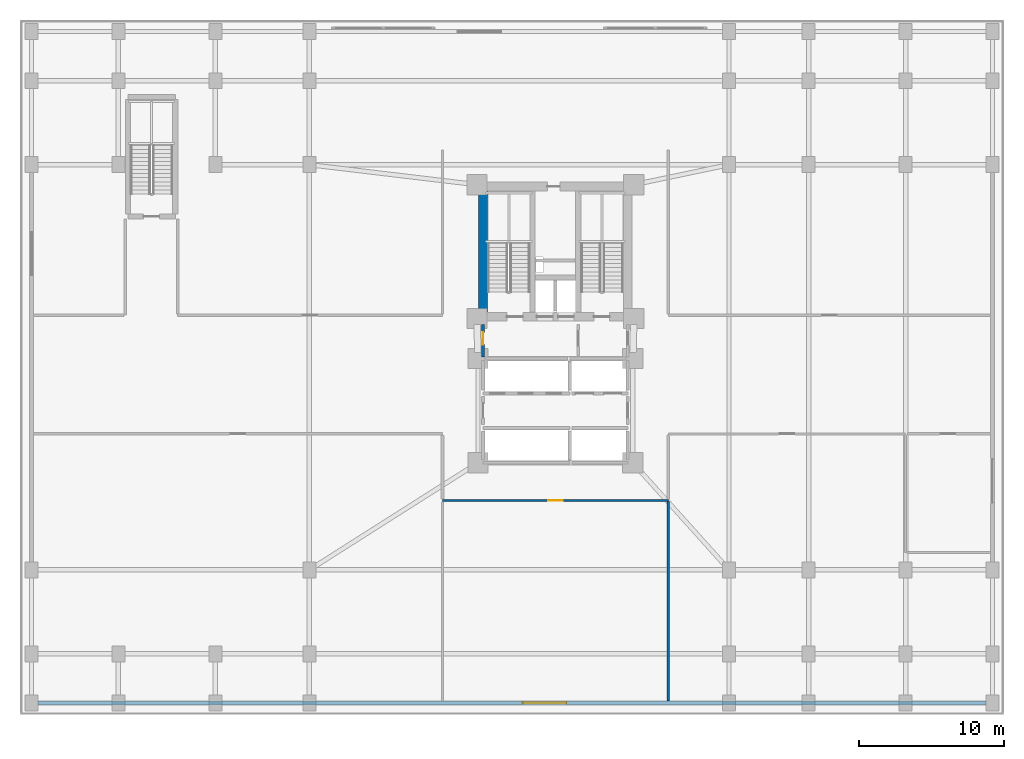
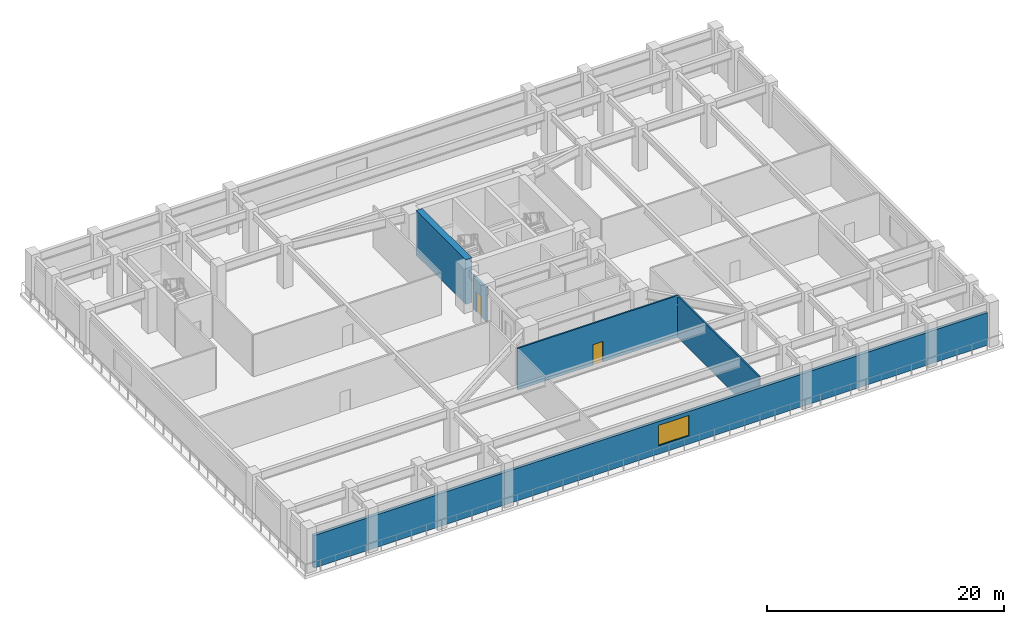
# One storey, part 7 of 12: 5 walls, 2 doors, 1 window, 3 openings.
"""IFC4 building model written with IfcOpenShell, lengths in metres."""

import ifcopenshell
import ifcopenshell.guid

model = None  # the IFC model being written
_history = None  # IfcOwnerHistory: only IFC2X3 demands one
_inside = {}  # id of a spatial element -> (the spatial element, [elements in it])
_under = {}  # id of a project, library or spatial element -> (it, [spatial elements below it])
_declared = {}  # id of a project -> (the project, [libraries it declares])
_typed = {}  # id of a type object -> (the type object, [elements of that type])
_made_of = {}  # id of a material, layer set ... -> (it, [elements and type objects made of it])


def new_model(schema):
    """Start an empty IFC model of exactly this schema.

    Asked for "IFC4X3", IfcOpenShell would pick the latest addendum, in which some entities
    have other attributes; the version numbers below select the first issue.
    IFC2X3 requires an IfcOwnerHistory on every rooted entity: one is made here for all.
    """
    global model, _history
    if schema == "IFC4X3":
        model = ifcopenshell.file(schema_version=(4, 3, 0, 0))
    else:
        model = ifcopenshell.file(schema=schema)
    _inside.clear()
    _under.clear()
    _declared.clear()
    _typed.clear()
    _made_of.clear()
    _history = None
    if model.schema == "IFC2X3":
        org = make("IfcOrganization", Name="unknown")
        user = make(
            "IfcPersonAndOrganization",
            ThePerson=make("IfcPerson", FamilyName="unknown"),
            TheOrganization=org,
        )
        app = make(
            "IfcApplication",
            ApplicationDeveloper=org,
            Version="unknown",
            ApplicationFullName="unknown",
            ApplicationIdentifier="unknown",
        )
        _history = make(
            "IfcOwnerHistory",
            OwningUser=user,
            OwningApplication=app,
            ChangeAction="ADDED",
            CreationDate=0,
        )
    return model


def make(cls, **values):
    """One entity of the class cls with the attributes given. An attribute that is None is left unset."""
    return model.create_entity(
        cls, **{name: value for name, value in values.items() if value is not None}
    )


def rooted(cls, **values):
    """An entity with a GlobalId (a new one), such as an element, a storey or a relation."""
    return make(cls, GlobalId=ifcopenshell.guid.new(), OwnerHistory=_history, **values)


def si_unit(unit_type, name, prefix=None):
    """IfcSIUnit, for example si_unit("LENGTHUNIT", "METRE", prefix="MILLI")."""
    return make("IfcSIUnit", UnitType=unit_type, Prefix=prefix, Name=name)


def assignment(units):
    """IfcUnitAssignment: the units of a project."""
    return None if units is None else make("IfcUnitAssignment", Units=units)


def point(xyz):
    """IfcCartesianPoint."""
    return None if xyz is None else make("IfcCartesianPoint", Coordinates=xyz)


def direction(xyz):
    """IfcDirection."""
    return None if xyz is None else make("IfcDirection", DirectionRatios=xyz)


def frame(location, z_axis=None, x_axis=None):
    """IfcAxis2Placement3D, a coordinate frame: its origin and axes. An axis left out is left unset."""
    return make(
        "IfcAxis2Placement3D",
        Location=point(location),
        Axis=direction(z_axis),
        RefDirection=direction(x_axis),
    )


def frame_2d(location, x_axis=None):
    """IfcAxis2Placement2D, a coordinate frame in the plane: its origin and x axis."""
    return make(
        "IfcAxis2Placement2D", Location=point(location), RefDirection=direction(x_axis)
    )


def origin():
    """The frame at (0, 0, 0) with its axes left unset."""
    return frame((0.0, 0.0, 0.0))


def place(relative_to, where):
    """IfcLocalPlacement: puts the frame where relative to a parent placement (None: the world)."""
    return make(
        "IfcLocalPlacement", PlacementRelTo=relative_to, RelativePlacement=where
    )


def context(
    kind, dimensions, precision=None, world=None, true_north=None, identifier=None
):
    """IfcGeometricRepresentationContext, for example the 3D "Model" context."""
    return make(
        "IfcGeometricRepresentationContext",
        ContextIdentifier=identifier,
        ContextType=kind,
        CoordinateSpaceDimension=dimensions,
        Precision=precision,
        WorldCoordinateSystem=world,
        TrueNorth=true_north,
    )


def subcontext(parent, identifier, kind, view, scale=None):
    """IfcGeometricRepresentationSubContext, for example "Body" below "Model"."""
    return make(
        "IfcGeometricRepresentationSubContext",
        ContextIdentifier=identifier,
        ContextType=kind,
        ParentContext=parent,
        TargetScale=scale,
        TargetView=view,
    )


def project(units=None, contexts=None):
    """IfcProject with its units and contexts."""
    return rooted(
        "IfcProject",
        Name="project",
        RepresentationContexts=contexts,
        UnitsInContext=assignment(units),
    )


def spatial(cls, under=None, at=None, **own):
    """A site, building, storey or space (cls), placed at a placement, below another one or the project."""
    s = rooted(cls, ObjectPlacement=at, **own)
    if under is not None:
        _under.setdefault(under.id(), (under, []))[1].append(s)
    return s


def profile(cls, at=None, kind="AREA", **sizes):
    """A parametric profile (cls). Its sizes go by their IFC names, for example OverallWidth=200.0."""
    return make(cls, ProfileType=kind, Position=at, **sizes)


def rectangle(**sizes):
    """IfcRectangleProfileDef."""
    return profile("IfcRectangleProfileDef", **sizes)


def extrude(swept, where, along, depth):
    """IfcExtrudedAreaSolid: the profile swept, set in the frame where, extruded along a direction by depth."""
    return make(
        "IfcExtrudedAreaSolid",
        SweptArea=swept,
        Position=where,
        ExtrudedDirection=direction(along),
        Depth=depth,
    )


def shape(context_of_items, identifier, shape_type, items):
    """IfcShapeRepresentation: the items that make up one representation, for example the "Body"."""
    return make(
        "IfcShapeRepresentation",
        ContextOfItems=context_of_items,
        RepresentationIdentifier=identifier,
        RepresentationType=shape_type,
        Items=items,
    )


def material(Name=None, Category=None):
    """IfcMaterial."""
    return make("IfcMaterial", Name=Name, Category=Category)


def layer(
    of_material, thickness, ventilated=None, Name=None, Category=None, Priority=None
):
    """IfcMaterialLayer: one layer of a wall or slab, of a material (None: an air gap)."""
    return make(
        "IfcMaterialLayer",
        Material=of_material,
        LayerThickness=thickness,
        IsVentilated=ventilated,
        Name=Name,
        Category=Category,
        Priority=Priority,
    )


def layer_set(layers, Name=None):
    """IfcMaterialLayerSet."""
    return make("IfcMaterialLayerSet", MaterialLayers=layers, LayerSetName=Name)


def made_of(thing, what):
    """Note that an element or type object is made of a material, layer set ...; save() writes the relation."""
    if what is not None:
        _made_of.setdefault(what.id(), (what, []))[1].append(thing)
    return thing


def type_object(cls, material=None, **own):
    """A type object (cls), such as IfcWallType, which elements share."""
    return made_of(rooted(cls, **own), material)


def element(
    cls,
    number,
    at=None,
    inside=None,
    cuts=None,
    type_object=None,
    material=None,
    context=None,
    identifier="Body",
    shape_type=None,
    held_by="IfcProductDefinitionShape",
    body=None,
    shapes=None,
    **own,
):
    """One element of the class cls, such as IfcWall. Its Tag is "e" and its number.

    at: its placement. inside: the storey or other place that contains it. cuts: it is an
    opening in that element (IfcRelVoidsElement). A single representation is given by context,
    identifier, shape_type and body (its items); several are given by shapes. held_by: the class
    of the entity that holds the representations. save() writes the other relations.
    """
    e = rooted(cls, Tag="e%d" % number, ObjectPlacement=at, **own)
    if body is not None:
        shapes = [shape(context, identifier, shape_type, body)]
    if shapes is not None:
        e.Representation = make(held_by, Representations=shapes)
    if inside is not None:
        _inside.setdefault(inside.id(), (inside, []))[1].append(e)
    if cuts is not None:
        rooted(
            "IfcRelVoidsElement", RelatingBuildingElement=cuts, RelatedOpeningElement=e
        )
    if type_object is not None:
        _typed.setdefault(type_object.id(), (type_object, []))[1].append(e)
    return made_of(e, material)


def fill(opening, filler):
    """IfcRelFillsElement: the door or window that sits in an opening."""
    return rooted(
        "IfcRelFillsElement",
        RelatingOpeningElement=opening,
        RelatedBuildingElement=filler,
    )


def aggregate(whole, parts):
    """IfcRelAggregates: a whole, such as a stair, and the parts it consists of."""
    return rooted("IfcRelAggregates", RelatingObject=whole, RelatedObjects=parts)


def save(model, path):
    """Write the relations noted so far, then the file.

    IfcRelAggregates (storeys below a building ...), IfcRelContainedInSpatialStructure (elements
    in a storey), IfcRelDefinesByType, IfcRelAssociatesMaterial and IfcRelDeclares: one each for
    every whole, place, type object, material and project.
    """
    for whole, parts in _under.values():
        aggregate(whole, parts)
    for where, things in _inside.values():
        rooted(
            "IfcRelContainedInSpatialStructure",
            RelatedElements=things,
            RelatingStructure=where,
        )
    for kind, things in _typed.values():
        rooted("IfcRelDefinesByType", RelatedObjects=things, RelatingType=kind)
    for what, things in _made_of.values():
        rooted("IfcRelAssociatesMaterial", RelatedObjects=things, RelatingMaterial=what)
    for by, libraries in _declared.values():
        rooted("IfcRelDeclares", RelatingContext=by, RelatedDefinitions=libraries)
    model.write(path)


model = new_model("IFC4")

# Units and contexts
model_context = context("Model", 3, precision=1e-05, world=origin(), true_north=direction((0.0, 1.0)))
body_context = subcontext(model_context, "Body", "Model", "MODEL_VIEW")
ifc_project = project(units=[si_unit("LENGTHUNIT", "METRE"), si_unit("AREAUNIT", "SQUARE_METRE"), si_unit("VOLUMEUNIT", "CUBIC_METRE"), si_unit("PLANEANGLEUNIT", "RADIAN"), si_unit("MASSUNIT", "GRAM", prefix="KILO")], contexts=[model_context])

# Site, building, storey
site_placement = place(None, origin())
site = spatial("IfcSite", under=ifc_project, at=site_placement, CompositionType="ELEMENT")
building_placement = place(site_placement, origin())
building = spatial("IfcBuilding", under=site, at=building_placement, Name="Varnakorn Sky Granary", CompositionType="ELEMENT")
storey_placement = place(building_placement, frame((0.0, 0.0, 4.60009765625)))
storey = spatial("IfcBuildingStorey", under=building, at=storey_placement, Name="L01", CompositionType="ELEMENT", Elevation=4.60009765625)

# Wall
ifc_material_1 = material(Name="Concrete C60/75", Category="concrete")
ifc_layer_1 = layer(ifc_material_1, 0.60009765625, Name="Concrete C60/75")
ifc_layer_set_1 = layer_set([ifc_layer_1], Name="Concrete C60/75")
wall_type_1 = type_object("IfcWallType", Name="WT-CW-SHEAR-600", PredefinedType="SHEAR", material=ifc_layer_set_1)
wall_1_placement = place(storey_placement, frame((-2.0, 3.81005859375, 0.0), z_axis=(0.0, 0.0, 1.0), x_axis=(0.0, 1.0, 0.0)))
element("IfcWall", 1, at=wall_1_placement, inside=storey, type_object=wall_type_1, Name="Core West Shear Wall L01", PredefinedType="SHEAR", context=body_context, shape_type="SweptSolid", body=[
    extrude(rectangle(XDim=8.3798828125, YDim=0.60009765625, at=frame_2d((4.18994140625, 0.0))), origin(), (0.0, 0.0, 1.0), 4.591796875),
])

# Wall, opening, window
ifc_material_2 = material(Name="Precast concrete C40/50", Category="concrete")
ifc_layer_2 = layer(ifc_material_2, 0.300048828125, Name="Precast concrete C40/50")
ifc_layer_set_2 = layer_set([ifc_layer_2], Name="Precast concrete C40/50")
wall_type_2 = type_object("IfcWallType", Name="WT-EW-POD-300", PredefinedType="SOLIDWALL", material=ifc_layer_set_2)
wall_2_placement = place(storey_placement, frame((32.7548828125, -23.199951171875, 0.0), z_axis=(0.0, 0.0, 1.0), x_axis=(-1.0, 0.0, 0.0)))
wall_2 = element("IfcWall", 2, at=wall_2_placement, inside=storey, type_object=wall_type_2, Name="Podium Exterior Facade Wall L01-S", PredefinedType="SOLIDWALL", context=body_context, shape_type="SweptSolid", body=[
    extrude(rectangle(XDim=65.509765625, YDim=0.300048828125, at=frame_2d((32.7548828125, 0.0))), origin(), (0.0, 0.0, 1.0), 3.349853515625),
])
opening_1_placement = place(wall_2_placement, frame((29.0, 0.0, 0.85009765625)))
opening_1 = element("IfcOpeningElement", 3, at=opening_1_placement, cuts=wall_2, Name="Opening WN-03", PredefinedType="OPENING", context=body_context, shape_type="SweptSolid", body=[
    extrude(rectangle(XDim=3.0, YDim=2.10009765625, at=frame_2d((1.5, 1.050048828125))), frame((0.0, 0.16015625, 0.0), z_axis=(0.0, -1.0, 0.0), x_axis=(1.0, 0.0, 0.0)), (0.0, 0.0, 1.0), 0.320068359375),
])
ifc_material_3 = material(Name="Low-E Tinted Laminated Glass", Category="glass")
window_type = type_object("IfcWindowType", Name="WN-MKT-3000", PartitioningType="SINGLE_PANEL", PredefinedType="WINDOW", material=ifc_material_3)
window_placement = place(opening_1_placement, origin())
window = element("IfcWindow", 4, at=window_placement, inside=storey, type_object=window_type, Name="Podium Facade Window L01-S", OverallHeight=2.10009765625, OverallWidth=3.0, PartitioningType="SINGLE_PANEL", PredefinedType="WINDOW", context=body_context, shape_type="SweptSolid", body=[
    extrude(rectangle(XDim=3.0, YDim=2.10009765625, at=frame_2d((1.5, 1.050048828125))), frame((0.0, 0.030029296875, 0.0), z_axis=(0.0, -1.0, 0.0), x_axis=(1.0, 0.0, 0.0)), (0.0, 0.0, 1.0), 0.06005859375),
])
fill(opening_1, window)

# Wall, opening, door
ifc_material_4 = material(Name="Autoclaved Aerated Concrete Blockwork", Category="masonry")
ifc_layer_3 = layer(ifc_material_4, 0.199951171875, Name="Autoclaved Aerated Concrete Blockwork")
ifc_layer_set_3 = layer_set([ifc_layer_3], Name="Autoclaved Aerated Concrete Blockwork")
wall_type_3 = type_object("IfcWallType", Name="WT-FIRE-200", PredefinedType="MOVABLE", material=ifc_layer_set_3)
wall_3_placement = place(storey_placement, frame((-2.0, 0.719970703125, 0.0), z_axis=(0.0, 0.0, 1.0), x_axis=(0.0, 1.0, 0.0)))
wall_3 = element("IfcWall", 5, at=wall_3_placement, inside=storey, type_object=wall_type_3, Name="Interior Partition Wall L01-017", PredefinedType="MOVABLE", context=body_context, shape_type="SweptSolid", body=[
    extrude(rectangle(XDim=2.25, YDim=0.199951171875, at=frame_2d((1.125, 0.0))), origin(), (0.0, 0.0, 1.0), 3.511962890625),
])
opening_2_placement = place(wall_3_placement, frame((0.844970703125, 0.0, 0.0)))
opening_2 = element("IfcOpeningElement", 6, at=opening_2_placement, cuts=wall_3, Name="Opening FD-60N", PredefinedType="OPENING", context=body_context, shape_type="SweptSolid", body=[
    extrude(rectangle(XDim=0.85009765625, YDim=2.10009765625, at=frame_2d((0.425048828125, 1.050048828125))), frame((0.0, 0.10986328125, 0.0), z_axis=(0.0, -1.0, 0.0), x_axis=(1.0, 0.0, 0.0)), (0.0, 0.0, 1.0), 0.219970703125),
])
ifc_material_5 = material(Name="Acoustic Timber Fire Leaf", Category="wood")
door_type_1 = type_object("IfcDoorType", Name="DR-FD60-850", OperationType="NOTDEFINED", PredefinedType="DOOR", material=ifc_material_5)
door_1_placement = place(opening_2_placement, origin())
door_1 = element("IfcDoor", 7, at=door_1_placement, inside=storey, type_object=door_type_1, Name="Interior Door L01-017-1", OperationType="SINGLE_SWING_LEFT", OverallHeight=2.10009765625, OverallWidth=0.85009765625, PredefinedType="DOOR", context=body_context, shape_type="SweptSolid", body=[
    extrude(rectangle(XDim=0.85009765625, YDim=2.10009765625, at=frame_2d((0.425048828125, 1.050048828125))), frame((0.0, 0.02490234375, 0.0), z_axis=(0.0, -1.0, 0.0), x_axis=(1.0, 0.0, 0.0)), (0.0, 0.0, 1.0), 0.050048828125),
])
fill(opening_2, door_1)

ifc_material_6 = material(Name="Gypsum Plasterboard on Steel Stud", Category="steel")
ifc_layer_4 = layer(ifc_material_6, 0.14990234375, Name="Gypsum Plasterboard on Steel Stud")
ifc_layer_set_4 = layer_set([ifc_layer_4], Name="Gypsum Plasterboard on Steel Stud")
wall_type_4 = type_object("IfcWallType", Name="WT-PART-150", PredefinedType="PARTITIONING", material=ifc_layer_set_4)
wall_4_placement = place(storey_placement, frame((-4.800048828125, -9.199951171875, 0.0), z_axis=(0.0, 0.0, 1.0), x_axis=(1.0, 0.0, 0.0)))
wall_4 = element("IfcWall", 8, at=wall_4_placement, inside=storey, type_object=wall_type_4, Name="Interior Partition Wall L01-026", PredefinedType="PARTITIONING", context=body_context, shape_type="SweptSolid", body=[
    extrude(rectangle(XDim=15.60009765625, YDim=0.14990234375, at=frame_2d((7.800048828125, 0.0))), origin(), (0.0, 0.0, 1.0), 4.27978515625),
])
opening_3_placement = place(wall_4_placement, frame((7.300048828125, 0.0, 0.0)))
opening_3 = element("IfcOpeningElement", 9, at=opening_3_placement, cuts=wall_4, Name="Opening ID-100", PredefinedType="OPENING", context=body_context, shape_type="SweptSolid", body=[
    extrude(rectangle(XDim=1.0, YDim=2.10009765625, at=frame_2d((0.5, 1.050048828125))), frame((0.0, 0.0849609375, 0.0), z_axis=(0.0, -1.0, 0.0), x_axis=(1.0, 0.0, 0.0)), (0.0, 0.0, 1.0), 0.169921875),
])
ifc_material_7 = material(Name="Solid-Core Teak Veneer Leaf", Category="timber")
door_type_2 = type_object("IfcDoorType", Name="DR-INT-1000", OperationType="NOTDEFINED", PredefinedType="DOOR", material=ifc_material_7)
door_2_placement = place(opening_3_placement, origin())
door_2 = element("IfcDoor", 10, at=door_2_placement, inside=storey, type_object=door_type_2, Name="Interior Door L01-026-1", OperationType="SINGLE_SWING_RIGHT", OverallHeight=2.10009765625, OverallWidth=1.0, PredefinedType="DOOR", context=body_context, shape_type="SweptSolid", body=[
    extrude(rectangle(XDim=1.0, YDim=2.10009765625, at=frame_2d((0.5, 1.050048828125))), frame((0.0, 0.02490234375, 0.0), z_axis=(0.0, -1.0, 0.0), x_axis=(1.0, 0.0, 0.0)), (0.0, 0.0, 1.0), 0.050048828125),
])
fill(opening_3, door_2)

# Wall
wall_5_placement = place(storey_placement, frame((10.800048828125, -23.050048828125, 0.0), z_axis=(0.0, 0.0, 1.0), x_axis=(0.0, 1.0, 0.0)))
element("IfcWall", 11, at=wall_5_placement, inside=storey, type_object=wall_type_4, Name="Interior Partition Wall L01-038", PredefinedType="PARTITIONING", context=body_context, shape_type="SweptSolid", body=[
    extrude(rectangle(XDim=13.76513671875, YDim=0.14990234375, at=frame_2d((6.882568359375, 0.0))), origin(), (0.0, 0.0, 1.0), 4.27978515625),
])

save(model, "model.ifc")
